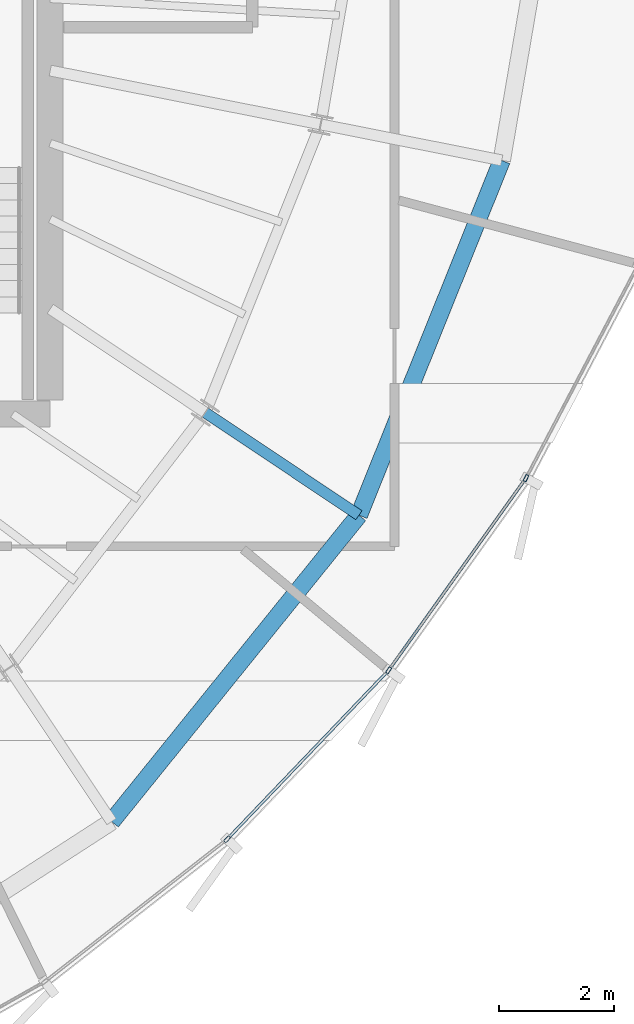
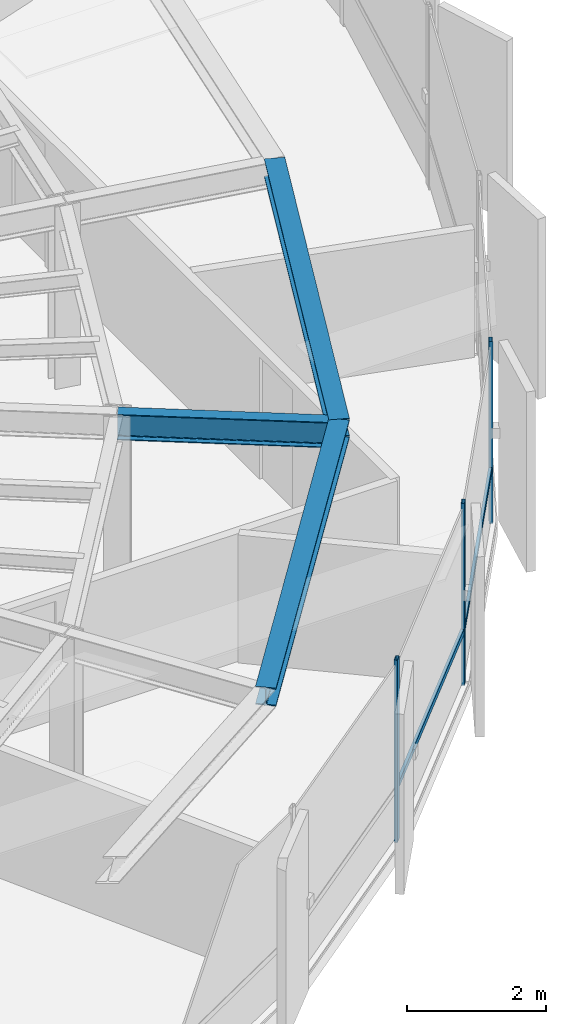
# One storey, part 13 of 33: 5 members, 3 beams, 1 element without a shape of its own.
"""IFC4 building model written with IfcOpenShell, lengths in metres."""

from ifc_helpers import new_model, si_unit, direction, frame, origin, origin_2d, place, context, subcontext, project, spatial, hollow_rectangle, i_section, extrude, source, transform, mapped, material, layer, layer_set, material_profile, profile_set, type_object, element, aggregate, save


model = new_model("IFC4")

# Units and contexts
model_context = context("Model", 3, precision=1e-05, world=origin(), true_north=direction((0.0, 1.0)))
body_context = subcontext(model_context, "Body", "Model", "MODEL_VIEW")
ifc_project = project(units=[si_unit("LENGTHUNIT", "METRE"), si_unit("AREAUNIT", "SQUARE_METRE"), si_unit("VOLUMEUNIT", "CUBIC_METRE"), si_unit("PLANEANGLEUNIT", "RADIAN"), si_unit("MASSUNIT", "GRAM", prefix="KILO"), si_unit("THERMODYNAMICTEMPERATUREUNIT", "KELVIN")], contexts=[model_context])

# Site, building, storey
site_placement = place(None, origin())
site = spatial("IfcSite", under=ifc_project, at=site_placement, CompositionType="ELEMENT")
building_placement = place(site_placement, origin())
building = spatial("IfcBuilding", under=site, at=building_placement, Name="Kethvar Cultural Tower", CompositionType="ELEMENT")
storey_placement = place(building_placement, frame((0.0, 0.0, 238.75)))
storey = spatial("IfcBuildingStorey", under=building, at=storey_placement, Name="L62", CompositionType="ELEMENT", Elevation=238.75)

# Beams
ifc_material_1 = material(Name="Steel S355J2", Category="steel")
ifc_material_profile_1 = material_profile(ifc_material_1, i_section(OverallWidth=0.18994140625, OverallDepth=0.449951171875, WebThickness=0.009521484375, FlangeThickness=0.0146484375, FilletRadius=0.02099609375, at=origin_2d()), Name="Steel S355J2 — IPE450")
ifc_profile_set_1 = profile_set([ifc_material_profile_1], Name="Steel S355J2 — IPE450")
beam_type_1 = type_object("IfcBeamType", Name="BM-IPE450", PredefinedType="BEAM", material=ifc_profile_set_1)
shared_shape_1 = source(origin(), body_context, "Body", "SweptSolid", [
    extrude(i_section(OverallWidth=0.18994140625, OverallDepth=0.449951171875, WebThickness=0.009521484375, FlangeThickness=0.0146484375, FilletRadius=0.02099609375, at=origin_2d()), origin(), (0.0, 0.0, 1.0), 3.199951171875),
])
beam_1_placement = place(storey_placement, frame((58.287109375, 20.12451171875, 2.98291015625), z_axis=(0.831462943996, -0.555580212716, 0.0), x_axis=(0.555580212716, 0.831462943996, 0.0)))
element("IfcBeam", 1, at=beam_1_placement, inside=storey, type_object=beam_type_1, Name="L62 Perimeter Cantilever Beam RC-15", PredefinedType="BEAM", context=body_context, shape_type="MappedRepresentation", body=[
    mapped(shared_shape_1, transform((0.0, 0.0, 0.0), scale=1.0)),
])
ifc_material_profile_2 = material_profile(ifc_material_1, i_section(OverallWidth=0.300048828125, OverallDepth=0.320068359375, WebThickness=0.011474609375, FlangeThickness=0.0205078125, FilletRadius=0.027099609375, at=origin_2d()), Name="Steel S355J2 — HEB320")
ifc_profile_set_2 = profile_set([ifc_material_profile_2], Name="Steel S355J2 — HEB320")
beam_type_2 = type_object("IfcBeamType", Name="BM-SP320", PredefinedType="SPANDREL", material=ifc_profile_set_2)
shared_shape_2 = source(origin(), body_context, "Body", "SweptSolid", [
    extrude(i_section(OverallWidth=0.300048828125, OverallDepth=0.320068359375, WebThickness=0.011474609375, FlangeThickness=0.0205078125, FilletRadius=0.027099609375, at=origin_2d()), origin(), (0.0, 0.0, 1.0), 6.8212890625),
])
beam_2_placement = place(storey_placement, frame((56.66259765625, 13.039306640625, 3.048095703125), z_axis=(0.628197971595, 0.778053538315, 0.0), x_axis=(-0.778053538315, 0.628197971595, 0.0)))
element("IfcBeam", 2, at=beam_2_placement, inside=storey, type_object=beam_type_2, Name="L62 Perimeter Spandrel Beam SP-14", PredefinedType="SPANDREL", context=body_context, shape_type="MappedRepresentation", body=[
    mapped(shared_shape_2, transform((0.0, 0.0, 0.0), scale=1.0)),
])
shared_shape_3 = source(origin(), body_context, "Body", "SweptSolid", [
    extrude(i_section(OverallWidth=0.300048828125, OverallDepth=0.320068359375, WebThickness=0.011474609375, FlangeThickness=0.0205078125, FilletRadius=0.027099609375, at=origin_2d()), origin(), (0.0, 0.0, 1.0), 6.626220703125),
])
beam_3_placement = place(storey_placement, frame((60.94775390625, 18.3466796875, 3.048095703125), z_axis=(0.373416224197, 0.927663906545, 0.0), x_axis=(-0.927663906545, 0.373416224197, 0.0)))
element("IfcBeam", 3, at=beam_3_placement, inside=storey, type_object=beam_type_2, Name="L62 Perimeter Spandrel Beam SP-15", PredefinedType="SPANDREL", context=body_context, shape_type="MappedRepresentation", body=[
    mapped(shared_shape_3, transform((0.0, 0.0, 0.0), scale=1.0)),
])

# Curtain wall, members
ifc_material_2 = material(Name="Aluminium 6063-T6", Category="aluminium")
ifc_layer = layer(ifc_material_2, 0.179931640625, Name="Aluminium 6063-T6", Category="aluminium")
ifc_layer_set = layer_set([ifc_layer], Name="Aluminium 6063-T6 (180 mm)")
curtain_wall_type = type_object("IfcCurtainWallType", Name="CW-SYS-05-Z56", PredefinedType="NOTDEFINED", material=ifc_layer_set)
curtain_wall_placement = place(storey_placement, origin())
curtain_wall = element("IfcCurtainWall", 4, at=curtain_wall_placement, inside=storey, type_object=curtain_wall_type, Name="L62 Curtain Wall Run 05", PredefinedType="NOTDEFINED")
ifc_material_profile_3 = material_profile(ifc_material_2, hollow_rectangle(XDim=0.054931640625, YDim=0.1201171875, WallThickness=0.00390625, at=origin_2d()), Name="Aluminium 6063-T6 — RHS120x55x4")
ifc_profile_set_3 = profile_set([ifc_material_profile_3], Name="Aluminium 6063-T6 — RHS120x55x4")
member_type_1 = type_object("IfcMemberType", Name="CW-SYS-05-Z56-MUL", PredefinedType="MULLION", material=ifc_profile_set_3)
shared_shape_4 = source(origin(), body_context, "Body", "SweptSolid", [
    extrude(hollow_rectangle(XDim=0.054931640625, YDim=0.1201171875, WallThickness=0.00390625, at=origin_2d()), origin(), (0.0, 0.0, 1.0), 3.2099609375),
])
member_1_placement = place(storey_placement, frame((58.664306640625, 12.7333984375, 0.0), z_axis=(0.0, 0.0, 1.0), x_axis=(-0.7229309704, 0.690920264601, 0.0)))
member_1 = element("IfcMember", 5, at=member_1_placement, type_object=member_type_1, Name="CW-L62-R05 Mullion 3", PredefinedType="MULLION", context=body_context, shape_type="MappedRepresentation", body=[
    mapped(shared_shape_4, transform((0.0, 0.0, 0.0), scale=1.0)),
])
member_2_placement = place(storey_placement, frame((61.463134765625, 15.660400390625, 0.0), z_axis=(0.0, 0.0, 1.0), x_axis=(-0.813730202548, 0.581242769814, 0.0)))
member_2 = element("IfcMember", 6, at=member_2_placement, type_object=member_type_1, Name="CW-L62-R05 Mullion 4", PredefinedType="MULLION", context=body_context, shape_type="MappedRepresentation", body=[
    mapped(shared_shape_4, transform((0.0, 0.0, 0.0), scale=1.0)),
])
member_3_placement = place(storey_placement, frame((63.84130859375, 18.98828125, 0.0), z_axis=(0.0, 0.0, 1.0), x_axis=(-0.885125749116, 0.465351918716, 0.0)))
member_3 = element("IfcMember", 7, at=member_3_placement, type_object=member_type_1, Name="CW-L62-R05 Mullion 5", PredefinedType="MULLION", context=body_context, shape_type="MappedRepresentation", body=[
    mapped(shared_shape_4, transform((0.0, 0.0, 0.0), scale=1.0)),
])
ifc_material_profile_4 = material_profile(ifc_material_2, hollow_rectangle(XDim=0.050048828125, YDim=0.10009765625, WallThickness=0.00390625, at=origin_2d()), Name="Aluminium 6063-T6 — RHS100x50x4")
ifc_profile_set_4 = profile_set([ifc_material_profile_4], Name="Aluminium 6063-T6 — RHS100x50x4")
member_type_2 = type_object("IfcMemberType", Name="CW-SYS-05-Z56-TRN", PredefinedType="USERDEFINED", material=ifc_profile_set_4)
shared_shape_5 = source(origin(), body_context, "Body", "SweptSolid", [
    extrude(hollow_rectangle(XDim=0.050048828125, YDim=0.10009765625, WallThickness=0.00390625, at=origin_2d()), origin(), (0.0, 0.0, 1.0), 3.984619140625),
])
member_4_placement = place(storey_placement, frame((58.69189453125, 12.76220703125, 0.949951171875), z_axis=(0.690902609145, 0.722947843677, 0.0), x_axis=(-0.722947843677, 0.690902609145, 0.0)))
member_4 = element("IfcMember", 8, at=member_4_placement, type_object=member_type_2, Name="CW-L62-R05 Transom 3", ObjectType="TRANSOM", PredefinedType="USERDEFINED", context=body_context, shape_type="MappedRepresentation", body=[
    mapped(shared_shape_5, transform((0.0, 0.0, 0.0), scale=1.0)),
])
shared_shape_6 = source(origin(), body_context, "Body", "SweptSolid", [
    extrude(hollow_rectangle(XDim=0.050048828125, YDim=0.10009765625, WallThickness=0.00390625, at=origin_2d()), origin(), (0.0, 0.0, 1.0), 4.02490234375),
])
member_5_placement = place(storey_placement, frame((61.486083984375, 15.692626953125, 0.949951171875), z_axis=(0.581232455712, 0.813737569753, 0.0), x_axis=(-0.813737569753, 0.581232455712, 0.0)))
member_5 = element("IfcMember", 9, at=member_5_placement, type_object=member_type_2, Name="CW-L62-R05 Transom 4", ObjectType="TRANSOM", PredefinedType="USERDEFINED", context=body_context, shape_type="MappedRepresentation", body=[
    mapped(shared_shape_6, transform((0.0, 0.0, 0.0), scale=1.0)),
])
aggregate(curtain_wall, [member_1, member_2, member_3, member_4, member_5])

save(model, "model.ifc")
